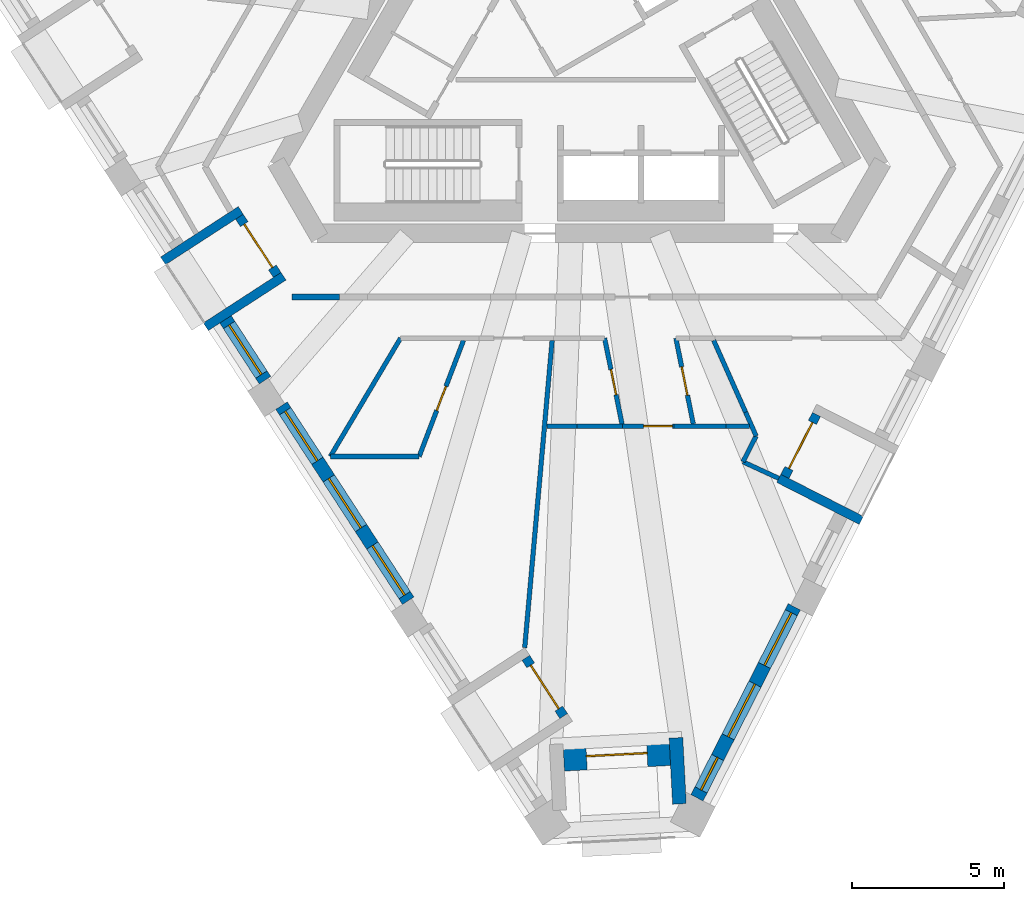
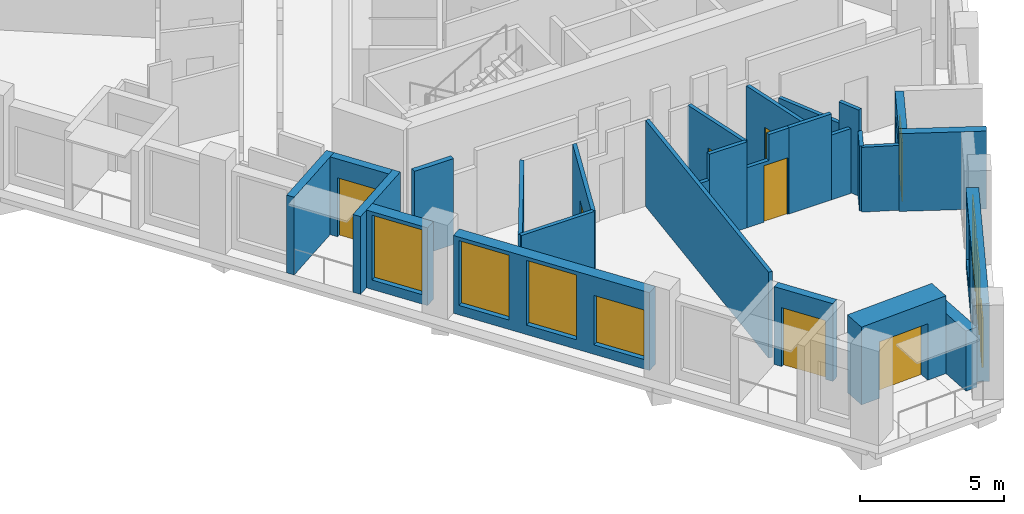
# One storey, part 2 of 13: 27 walls, 8 doors, 7 windows, 15 openings.
"""IFC4 building model written with IfcOpenShell, lengths in metres."""

from ifc_helpers import new_model, si_unit, direction, frame, frame_2d, origin, place, context, subcontext, project, spatial, polyline, rectangle, outline, extrude, material, layer, layer_set, type_object, element, fill, save


model = new_model("IFC4")

# Units and contexts
model_context = context("Model", 3, precision=1e-05, world=origin(), true_north=direction((0.0, 1.0)))
body_context = subcontext(model_context, "Body", "Model", "MODEL_VIEW")
ifc_project = project(units=[si_unit("LENGTHUNIT", "METRE"), si_unit("AREAUNIT", "SQUARE_METRE"), si_unit("VOLUMEUNIT", "CUBIC_METRE"), si_unit("PLANEANGLEUNIT", "RADIAN"), si_unit("MASSUNIT", "GRAM", prefix="KILO")], contexts=[model_context])

# Site, building, storey
site_placement = place(None, origin())
site = spatial("IfcSite", under=ifc_project, at=site_placement, CompositionType="ELEMENT")
building_placement = place(site_placement, origin())
building = spatial("IfcBuilding", under=site, at=building_placement, Name="Tramontana Tower", CompositionType="ELEMENT")
storey_placement = place(building_placement, frame((0.0, 0.0, 286.39990234375)))
storey = spatial("IfcBuildingStorey", under=building, at=storey_placement, Name="L67", CompositionType="ELEMENT", Elevation=286.39990234375)

# Wall
ifc_material_1 = material(Name="Blockwork", Category="masonry")
ifc_layer_1 = layer(ifc_material_1, 0.199951171875)
ifc_layer_set_1 = layer_set([ifc_layer_1], Name="ENTRY WALL 200")
wall_type_1 = type_object("IfcWallType", Name="ENTRY WALL 200", PredefinedType="SOLIDWALL", material=ifc_layer_set_1)
wall_1_placement = place(storey_placement, frame((-7.89599609375, -8.550048828125, 0.0), z_axis=(0.0, 0.0, 1.0), x_axis=(-1.0, 0.0, 0.0)))
element("IfcWall", 1, at=wall_1_placement, inside=storey, type_object=wall_type_1, Name="Wall v71-ew1-11", PredefinedType="SOLIDWALL", context=body_context, shape_type="SweptSolid", body=[
    extrude(rectangle(XDim=1.569580078125, YDim=0.199951171875, at=frame_2d((0.78466796875, 0.0))), origin(), (0.0, 0.0, 1.0), 3.650146484375),
])

# Wall, opening, window
ifc_material_2 = material(Name="Precast concrete 60 MPa", Category="concrete")
ifc_layer_2 = layer(ifc_material_2, 0.449951171875)
ifc_layer_set_2 = layer_set([ifc_layer_2], Name="Precast concrete 60 MPa, 450 mm")
wall_type_2 = type_object("IfcWallType", Name="EW1 Stone-faced precast wall 450", PredefinedType="SOLIDWALL", material=ifc_layer_set_2)
wall_2_placement = place(storey_placement, frame((-11.647216796875, -9.284912109375, 0.0), z_axis=(0.0, 0.0, 1.0), x_axis=(0.544722247615, -0.838616523182, 0.0)))
wall_2 = element("IfcWall", 2, at=wall_2_placement, inside=storey, type_object=wall_type_2, Name="External wall L67 face 0 bay 3", PredefinedType="SOLIDWALL", context=body_context, shape_type="SweptSolid", body=[
    extrude(rectangle(XDim=2.38671875, YDim=0.449951171875, at=frame_2d((1.193359375, 0.0))), origin(), (0.0, 0.0, 1.0), 3.300048828125),
])
opening_1_placement = place(wall_2_placement, frame((0.21826171875, 0.0, 0.39990234375)))
opening_1 = element("IfcOpeningElement", 3, at=opening_1_placement, cuts=wall_2, Name="Opening M3", PredefinedType="OPENING", context=body_context, shape_type="SweptSolid", body=[
    extrude(rectangle(XDim=1.949951171875, YDim=2.75, at=frame_2d((0.97509765625, 1.375))), frame((0.0, 0.23486328125, 0.0), z_axis=(0.0, -1.0, 0.0), x_axis=(1.0, 0.0, 0.0)), (0.0, 0.0, 1.0), 0.469970703125),
])
ifc_material_3 = material(Name="Aluminum frame, double glazing unit", Category="aluminium")
window_type_1 = type_object("IfcWindowType", Name="M3 Window 1.95 x 2.75", PartitioningType="SINGLE_PANEL", PredefinedType="WINDOW", material=ifc_material_3)
window_1_placement = place(opening_1_placement, origin())
window_1 = element("IfcWindow", 4, at=window_1_placement, inside=storey, type_object=window_type_1, Name="Window M3 L67 face 0 module 9", OverallHeight=2.75, OverallWidth=1.949951171875, PartitioningType="SINGLE_PANEL", PredefinedType="WINDOW", context=body_context, shape_type="SweptSolid", body=[
    extrude(rectangle(XDim=1.949951171875, YDim=2.75, at=frame_2d((0.97509765625, 1.375))), frame((0.0, 0.030029296875, 0.0), z_axis=(0.0, -1.0, 0.0), x_axis=(1.0, 0.0, 0.0)), (0.0, 0.0, 1.0), 0.06005859375),
])
fill(opening_1, window_1)

# Wall, openings, windows
wall_3_placement = place(storey_placement, frame((-9.802734375, -12.125244140625, 0.0), z_axis=(0.0, 0.0, 1.0), x_axis=(0.544649987904, -0.838663454954, 0.0)))
wall_3 = element("IfcWall", 5, at=wall_3_placement, inside=storey, type_object=wall_type_2, Name="External wall L67 face 0 bay 4", PredefinedType="SOLIDWALL", context=body_context, shape_type="SweptSolid", body=[
    extrude(rectangle(XDim=7.66015625, YDim=0.449951171875, at=frame_2d((3.830078125, 0.0))), origin(), (0.0, 0.0, 1.0), 3.300048828125),
])
opening_2_placement = place(wall_3_placement, frame((0.21826171875, 0.0, 0.39990234375)))
opening_2 = element("IfcOpeningElement", 6, at=opening_2_placement, cuts=wall_3, Name="Opening M3", PredefinedType="OPENING", context=body_context, shape_type="SweptSolid", body=[
    extrude(rectangle(XDim=1.949951171875, YDim=2.75, at=frame_2d((0.97509765625, 1.375))), frame((0.0, 0.23486328125, 0.0), z_axis=(0.0, -1.0, 0.0), x_axis=(1.0, 0.0, 0.0)), (0.0, 0.0, 1.0), 0.469970703125),
])
opening_3_placement = place(wall_3_placement, frame((2.855224609375, 0.0, 0.39990234375)))
opening_3 = element("IfcOpeningElement", 7, at=opening_3_placement, cuts=wall_3, Name="Opening M3", PredefinedType="OPENING", context=body_context, shape_type="SweptSolid", body=[
    extrude(rectangle(XDim=1.949951171875, YDim=2.75, at=frame_2d((0.97509765625, 1.375))), frame((0.0, 0.23486328125, 0.0), z_axis=(0.0, -1.0, 0.0), x_axis=(1.0, 0.0, 0.0)), (0.0, 0.0, 1.0), 0.469970703125),
])
opening_4_placement = place(wall_3_placement, frame((5.491943359375, 0.0, 0.39990234375)))
opening_4 = element("IfcOpeningElement", 8, at=opening_4_placement, cuts=wall_3, Name="Opening M3L", PredefinedType="OPENING", context=body_context, shape_type="SweptSolid", body=[
    extrude(rectangle(XDim=1.949951171875, YDim=2.10009765625, at=frame_2d((0.97509765625, 1.050048828125))), frame((0.0, 0.23486328125, 0.0), z_axis=(0.0, -1.0, 0.0), x_axis=(1.0, 0.0, 0.0)), (0.0, 0.0, 1.0), 0.469970703125),
])
window_2_placement = place(opening_2_placement, origin())
window_2 = element("IfcWindow", 9, at=window_2_placement, inside=storey, type_object=window_type_1, Name="Window M3 L67 face 0 module 10", OverallHeight=2.75, OverallWidth=1.949951171875, PartitioningType="SINGLE_PANEL", PredefinedType="WINDOW", context=body_context, shape_type="SweptSolid", body=[
    extrude(rectangle(XDim=1.949951171875, YDim=2.75, at=frame_2d((0.97509765625, 1.375))), frame((0.0, 0.030029296875, 0.0), z_axis=(0.0, -1.0, 0.0), x_axis=(1.0, 0.0, 0.0)), (0.0, 0.0, 1.0), 0.06005859375),
])
fill(opening_2, window_2)
window_3_placement = place(opening_3_placement, origin())
window_3 = element("IfcWindow", 10, at=window_3_placement, inside=storey, type_object=window_type_1, Name="Window M3 L67 face 0 module 11", OverallHeight=2.75, OverallWidth=1.949951171875, PartitioningType="SINGLE_PANEL", PredefinedType="WINDOW", context=body_context, shape_type="SweptSolid", body=[
    extrude(rectangle(XDim=1.949951171875, YDim=2.75, at=frame_2d((0.97509765625, 1.375))), frame((0.0, 0.030029296875, 0.0), z_axis=(0.0, -1.0, 0.0), x_axis=(1.0, 0.0, 0.0)), (0.0, 0.0, 1.0), 0.06005859375),
])
fill(opening_3, window_3)
ifc_material_4 = material(Name="Aluminum frame, double glazing unit", Category="aluminium")
window_type_2 = type_object("IfcWindowType", Name="M3L Window 1.95 x 2.1", PartitioningType="SINGLE_PANEL", PredefinedType="WINDOW", material=ifc_material_4)
window_4_placement = place(opening_4_placement, origin())
window_4 = element("IfcWindow", 11, at=window_4_placement, inside=storey, type_object=window_type_2, Name="Window M3L L67 face 0 module 12", OverallHeight=2.10009765625, OverallWidth=1.949951171875, PartitioningType="SINGLE_PANEL", PredefinedType="WINDOW", context=body_context, shape_type="SweptSolid", body=[
    extrude(rectangle(XDim=1.949951171875, YDim=2.10009765625, at=frame_2d((0.97509765625, 1.050048828125))), frame((0.0, 0.030029296875, 0.0), z_axis=(0.0, -1.0, 0.0), x_axis=(1.0, 0.0, 0.0)), (0.0, 0.0, 1.0), 0.06005859375),
])
fill(opening_4, window_4)

wall_4_placement = place(storey_placement, frame((3.87939453125, -25.041259765625, 0.0), z_axis=(0.0, 0.0, 1.0), x_axis=(0.453992084912, 0.891005716501, 0.0)))
wall_4 = element("IfcWall", 12, at=wall_4_placement, inside=storey, type_object=wall_type_2, Name="External wall L67 face 1 bay 1", PredefinedType="SOLIDWALL", context=body_context, shape_type="SweptSolid", body=[
    extrude(rectangle(XDim=7.060302734375, YDim=0.449951171875, at=frame_2d((3.5302734375, 0.0))), origin(), (0.0, 0.0, 1.0), 3.300048828125),
])
opening_5_placement = place(wall_4_placement, frame((0.29345703125, 0.0, 0.39990234375)))
opening_5 = element("IfcOpeningElement", 13, at=opening_5_placement, cuts=wall_4, Name="Opening N3L", PredefinedType="OPENING", context=body_context, shape_type="SweptSolid", body=[
    extrude(rectangle(XDim=1.199951171875, YDim=2.10009765625, at=frame_2d((0.60009765625, 1.050048828125))), frame((0.0, 0.23486328125, 0.0), z_axis=(0.0, -1.0, 0.0), x_axis=(1.0, 0.0, 0.0)), (0.0, 0.0, 1.0), 0.469970703125),
])
opening_6_placement = place(wall_4_placement, frame((2.255126953125, 0.0, 0.39990234375)))
opening_6 = element("IfcOpeningElement", 14, at=opening_6_placement, cuts=wall_4, Name="Opening M3", PredefinedType="OPENING", context=body_context, shape_type="SweptSolid", body=[
    extrude(rectangle(XDim=1.949951171875, YDim=2.75, at=frame_2d((0.97509765625, 1.375))), frame((0.0, 0.23486328125, 0.0), z_axis=(0.0, -1.0, 0.0), x_axis=(1.0, 0.0, 0.0)), (0.0, 0.0, 1.0), 0.469970703125),
])
opening_7_placement = place(wall_4_placement, frame((4.891845703125, 0.0, 0.39990234375)))
opening_7 = element("IfcOpeningElement", 15, at=opening_7_placement, cuts=wall_4, Name="Opening M3", PredefinedType="OPENING", context=body_context, shape_type="SweptSolid", body=[
    extrude(rectangle(XDim=1.949951171875, YDim=2.75, at=frame_2d((0.97509765625, 1.375))), frame((0.0, 0.23486328125, 0.0), z_axis=(0.0, -1.0, 0.0), x_axis=(1.0, 0.0, 0.0)), (0.0, 0.0, 1.0), 0.469970703125),
])
window_5_placement = place(opening_6_placement, origin())
window_5 = element("IfcWindow", 16, at=window_5_placement, inside=storey, type_object=window_type_1, Name="Window M3 L67 face 1 module 2", OverallHeight=2.75, OverallWidth=1.949951171875, PartitioningType="SINGLE_PANEL", PredefinedType="WINDOW", context=body_context, shape_type="SweptSolid", body=[
    extrude(rectangle(XDim=1.949951171875, YDim=2.75, at=frame_2d((0.97509765625, 1.375))), frame((0.0, 0.030029296875, 0.0), z_axis=(0.0, -1.0, 0.0), x_axis=(1.0, 0.0, 0.0)), (0.0, 0.0, 1.0), 0.06005859375),
])
fill(opening_6, window_5)
window_6_placement = place(opening_7_placement, origin())
window_6 = element("IfcWindow", 17, at=window_6_placement, inside=storey, type_object=window_type_1, Name="Window M3 L67 face 1 module 3", OverallHeight=2.75, OverallWidth=1.949951171875, PartitioningType="SINGLE_PANEL", PredefinedType="WINDOW", context=body_context, shape_type="SweptSolid", body=[
    extrude(rectangle(XDim=1.949951171875, YDim=2.75, at=frame_2d((0.97509765625, 1.375))), frame((0.0, 0.030029296875, 0.0), z_axis=(0.0, -1.0, 0.0), x_axis=(1.0, 0.0, 0.0)), (0.0, 0.0, 1.0), 0.06005859375),
])
fill(opening_7, window_6)
ifc_material_5 = material(Name="Aluminum frame, double glazing unit", Category="aluminium")
window_type_3 = type_object("IfcWindowType", Name="N3L Window 1.2 x 2.1", PartitioningType="SINGLE_PANEL", PredefinedType="WINDOW", material=ifc_material_5)
window_7_placement = place(opening_5_placement, origin())
window_7 = element("IfcWindow", 18, at=window_7_placement, inside=storey, type_object=window_type_3, Name="Window N3L L67 face 1 module 1", OverallHeight=2.10009765625, OverallWidth=1.199951171875, PartitioningType="SINGLE_PANEL", PredefinedType="WINDOW", context=body_context, shape_type="SweptSolid", body=[
    extrude(rectangle(XDim=1.199951171875, YDim=2.10009765625, at=frame_2d((0.60009765625, 1.050048828125))), frame((0.0, 0.030029296875, 0.0), z_axis=(0.0, -1.0, 0.0), x_axis=(1.0, 0.0, 0.0)), (0.0, 0.0, 1.0), 0.06005859375),
])
fill(opening_5, window_7)

# Wall
wall_5_placement = place(storey_placement, frame((3.300537109375, -25.240966796875, 0.0), z_axis=(0.0, 0.0, 1.0), x_axis=(-0.052323605405, 0.998630181958, 0.0)))
element("IfcWall", 19, at=wall_5_placement, inside=storey, type_object=wall_type_2, Name="Corner loggia side wall L67 K71l", PredefinedType="SOLIDWALL", context=body_context, shape_type="SweptSolid", body=[
    extrude(rectangle(XDim=2.178955078125, YDim=0.449951171875, at=frame_2d((1.08935546875, 0.0))), origin(), (0.0, 0.0, 1.0), 2.550048828125),
])

# Wall, opening, door
ifc_material_6 = material(Name="Precast concrete 60 MPa", Category="concrete")
ifc_layer_3 = layer(ifc_material_6, 0.89990234375)
ifc_layer_set_3 = layer_set([ifc_layer_3], Name="EW2 Stone-faced corner loggia wall 900")
wall_type_3 = type_object("IfcWallType", Name="EW2 Stone-faced corner loggia wall 900", PredefinedType="SOLIDWALL", material=ifc_layer_set_3)
wall_6_placement = place(storey_placement, frame((2.9853515625, -23.52587890625, 0.0), z_axis=(0.0, 0.0, 1.0), x_axis=(-0.998626871225, -0.0523867547, 0.0)))
wall_6 = element("IfcWall", 20, at=wall_6_placement, inside=storey, type_object=wall_type_3, Name="Corner loggia wall L67 K71", PredefinedType="SOLIDWALL", context=body_context, shape_type="SweptSolid", body=[
    extrude(rectangle(XDim=3.5, YDim=0.89990234375, at=frame_2d((1.75, 0.0))), origin(), (0.0, 0.0, 1.0), 3.300048828125),
])
opening_8_placement = place(wall_6_placement, frame((0.75, 0.0, 0.0)))
opening_8 = element("IfcOpeningElement", 21, at=opening_8_placement, cuts=wall_6, Name="Opening BD-71C", PredefinedType="OPENING", context=body_context, shape_type="SweptSolid", body=[
    extrude(rectangle(XDim=2.0, YDim=2.39990234375, at=frame_2d((1.0, 1.199951171875))), frame((0.0, 0.4599609375, 0.0), z_axis=(0.0, -1.0, 0.0), x_axis=(1.0, 0.0, 0.0)), (0.0, 0.0, 1.0), 0.919921875),
])
ifc_material_7 = material(Name="Aluminum frame, double glazing unit", Category="aluminium")
door_type_1 = type_object("IfcDoorType", Name="BC1 Sliding door 2 x 2.4", OperationType="SLIDING_TO_LEFT", PredefinedType="DOOR", material=ifc_material_7)
door_1_placement = place(opening_8_placement, origin())
door_1 = element("IfcDoor", 22, at=door_1_placement, inside=storey, type_object=door_type_1, Name="Corner loggia door L67 K71", OperationType="SLIDING_TO_LEFT", OverallHeight=2.39990234375, OverallWidth=2.0, PredefinedType="DOOR", context=body_context, shape_type="SweptSolid", body=[
    extrude(rectangle(XDim=2.0, YDim=2.39990234375, at=frame_2d((1.0, 1.199951171875))), frame((0.0, 0.02490234375, 0.0), z_axis=(0.0, -1.0, 0.0), x_axis=(1.0, 0.0, 0.0)), (0.0, 0.0, 1.0), 0.050048828125),
])
fill(opening_8, door_1)

ifc_material_8 = material(Name="Precast concrete 60 MPa", Category="concrete")
ifc_layer_4 = layer(ifc_material_8, 0.300048828125)
ifc_layer_set_4 = layer_set([ifc_layer_4], Name="LW1 Stone-faced loggia wall 300")
wall_type_4 = type_object("IfcWallType", Name="LW1 Stone-faced loggia wall 300", PredefinedType="SOLIDWALL", material=ifc_layer_set_4)
wall_7_placement = place(storey_placement, frame((-11.18994140625, -5.903564453125, 0.0), z_axis=(0.0, 0.0, 1.0), x_axis=(0.544631777146, -0.838675281216, 0.0)))
wall_7 = element("IfcWall", 23, at=wall_7_placement, inside=storey, type_object=wall_type_4, Name="Loggia wall L67 G7S0.7", PredefinedType="SOLIDWALL", context=body_context, shape_type="SweptSolid", body=[
    extrude(rectangle(XDim=2.28662109375, YDim=0.300048828125, at=frame_2d((1.143310546875, 0.0))), origin(), (0.0, 0.0, 1.0), 3.300048828125),
])
opening_9_placement = place(wall_7_placement, frame((0.29345703125, 0.0, 0.0)))
opening_9 = element("IfcOpeningElement", 24, at=opening_9_placement, cuts=wall_7, Name="Opening BD-7S0-07", PredefinedType="OPENING", context=body_context, shape_type="SweptSolid", body=[
    extrude(rectangle(XDim=1.699951171875, YDim=2.5, at=frame_2d((0.85009765625, 1.25))), frame((0.0, 0.159912109375, 0.0), z_axis=(0.0, -1.0, 0.0), x_axis=(1.0, 0.0, 0.0)), (0.0, 0.0, 1.0), 0.320068359375),
])
ifc_material_9 = material(Name="Aluminum frame, double glazing unit", Category="aluminium")
door_type_2 = type_object("IfcDoorType", Name="BD3 Sliding door 1.7 x 2.5", OperationType="SLIDING_TO_LEFT", PredefinedType="DOOR", material=ifc_material_9)
door_2_placement = place(opening_9_placement, origin())
door_2 = element("IfcDoor", 25, at=door_2_placement, inside=storey, type_object=door_type_2, Name="Loggia door L67 G7S0.7", OperationType="SLIDING_TO_LEFT", OverallHeight=2.5, OverallWidth=1.699951171875, PredefinedType="DOOR", context=body_context, shape_type="SweptSolid", body=[
    extrude(rectangle(XDim=1.699951171875, YDim=2.5, at=frame_2d((0.85009765625, 1.25))), frame((0.0, 0.02490234375, 0.0), z_axis=(0.0, -1.0, 0.0), x_axis=(1.0, 0.0, 0.0)), (0.0, 0.0, 1.0), 0.050048828125),
])
fill(opening_9, door_2)

# Walls
wall_8_placement = place(storey_placement, frame((-13.703857421875, -7.357177734375, 0.0), z_axis=(0.0, 0.0, 1.0), x_axis=(0.838688583525, 0.544611292451, 0.0)))
element("IfcWall", 26, at=wall_8_placement, inside=storey, type_object=wall_type_4, Name="Loggia return L67 G7S0.7a", PredefinedType="SOLIDWALL", context=body_context, shape_type="SweptSolid", body=[
    extrude(rectangle(XDim=3.050048828125, YDim=0.300048828125, at=frame_2d((1.52490234375, 0.0))), origin(), (0.0, 0.0, 1.0), 3.300048828125),
])
wall_9_placement = place(storey_placement, frame((-12.294921875, -9.526611328125, 0.0), z_axis=(0.0, 0.0, 1.0), x_axis=(0.838664840319, 0.544647854685, 0.0)))
element("IfcWall", 27, at=wall_9_placement, inside=storey, type_object=wall_type_4, Name="Loggia return L67 G7S0.7b", PredefinedType="SOLIDWALL", context=body_context, shape_type="SweptSolid", body=[
    extrude(rectangle(XDim=3.0498046875, YDim=0.300048828125, at=frame_2d((1.52490234375, 0.0))), origin(), (0.0, 0.0, 1.0), 3.300048828125),
])

# Wall, opening, door
wall_10_placement = place(storey_placement, frame((-1.756591796875, -20.4296875, 0.0), z_axis=(0.0, 0.0, 1.0), x_axis=(0.544658103125, -0.838658184662, 0.0)))
wall_10 = element("IfcWall", 28, at=wall_10_placement, inside=storey, type_object=wall_type_4, Name="Loggia wall L67 G7S0.13", PredefinedType="SOLIDWALL", context=body_context, shape_type="SweptSolid", body=[
    extrude(rectangle(XDim=2.286865234375, YDim=0.300048828125, at=frame_2d((1.1435546875, 0.0))), origin(), (0.0, 0.0, 1.0), 3.300048828125),
])
opening_10_placement = place(wall_10_placement, frame((0.29345703125, 0.0, 0.0)))
opening_10 = element("IfcOpeningElement", 29, at=opening_10_placement, cuts=wall_10, Name="Opening BD-7S0-13", PredefinedType="OPENING", context=body_context, shape_type="SweptSolid", body=[
    extrude(rectangle(XDim=1.699951171875, YDim=2.5, at=frame_2d((0.85009765625, 1.25))), frame((0.0, 0.159912109375, 0.0), z_axis=(0.0, -1.0, 0.0), x_axis=(1.0, 0.0, 0.0)), (0.0, 0.0, 1.0), 0.320068359375),
])
door_3_placement = place(opening_10_placement, origin())
door_3 = element("IfcDoor", 30, at=door_3_placement, inside=storey, type_object=door_type_2, Name="Loggia door L67 G7S0.13", OperationType="SLIDING_TO_LEFT", OverallHeight=2.5, OverallWidth=1.699951171875, PredefinedType="DOOR", context=body_context, shape_type="SweptSolid", body=[
    extrude(rectangle(XDim=1.699951171875, YDim=2.5, at=frame_2d((0.85009765625, 1.25))), frame((0.0, 0.02490234375, 0.0), z_axis=(0.0, -1.0, 0.0), x_axis=(1.0, 0.0, 0.0)), (0.0, 0.0, 1.0), 0.050048828125),
])
fill(opening_10, door_3)

wall_11_placement = place(storey_placement, frame((6.77587890625, -14.455322265625, 0.0), z_axis=(0.0, 0.0, 1.0), x_axis=(0.454076116559, 0.890962895058, 0.0)))
wall_11 = element("IfcWall", 31, at=wall_11_placement, inside=storey, type_object=wall_type_4, Name="Loggia wall L67 G7S1.4", PredefinedType="SOLIDWALL", context=body_context, shape_type="SweptSolid", body=[
    extrude(rectangle(XDim=2.28662109375, YDim=0.300048828125, at=frame_2d((1.143310546875, 0.0))), origin(), (0.0, 0.0, 1.0), 3.300048828125),
])
opening_11_placement = place(wall_11_placement, frame((0.29345703125, 0.0, 0.0)))
opening_11 = element("IfcOpeningElement", 32, at=opening_11_placement, cuts=wall_11, Name="Opening BD-7S1-04", PredefinedType="OPENING", context=body_context, shape_type="SweptSolid", body=[
    extrude(rectangle(XDim=1.699951171875, YDim=2.5, at=frame_2d((0.85009765625, 1.25))), frame((0.0, 0.159912109375, 0.0), z_axis=(0.0, -1.0, 0.0), x_axis=(1.0, 0.0, 0.0)), (0.0, 0.0, 1.0), 0.320068359375),
])
door_4_placement = place(opening_11_placement, origin())
door_4 = element("IfcDoor", 33, at=door_4_placement, inside=storey, type_object=door_type_2, Name="Loggia door L67 G7S1.4", OperationType="SLIDING_TO_LEFT", OverallHeight=2.5, OverallWidth=1.699951171875, PredefinedType="DOOR", context=body_context, shape_type="SweptSolid", body=[
    extrude(rectangle(XDim=1.699951171875, YDim=2.5, at=frame_2d((0.85009765625, 1.25))), frame((0.0, 0.02490234375, 0.0), z_axis=(0.0, -1.0, 0.0), x_axis=(1.0, 0.0, 0.0)), (0.0, 0.0, 1.0), 0.050048828125),
])
fill(opening_11, door_4)

# Walls
wall_12_placement = place(storey_placement, frame((9.291748046875, -15.905517578125, 0.0), z_axis=(0.0, 0.0, 1.0), x_axis=(-0.891023613249, 0.453956959009, 0.0)))
element("IfcWall", 34, at=wall_12_placement, inside=storey, type_object=wall_type_4, Name="Loggia return L67 G7S1.4a", PredefinedType="SOLIDWALL", context=body_context, shape_type="SweptSolid", body=[
    extrude(rectangle(XDim=3.0498046875, YDim=0.300048828125, at=frame_2d((1.52490234375, 0.0))), origin(), (0.0, 0.0, 1.0), 3.300048828125),
])
ifc_material_10 = material(Name="Gypsum board partition")
ifc_layer_5 = layer(ifc_material_10, 0.14990234375)
ifc_layer_set_5 = layer_set([ifc_layer_5], Name="PARTITION 150")
wall_type_5 = type_object("IfcWallType", Name="PARTITION 150", PredefinedType="PARTITIONING", material=ifc_layer_set_5)
wall_13_placement = place(storey_placement, frame((-5.8818359375, -9.90185546875, 0.0), z_axis=(0.0, 0.0, 1.0), x_axis=(-0.510505146046, -0.859874697767, 0.0)))
element("IfcWall", 35, at=wall_13_placement, inside=storey, type_object=wall_type_5, Name="Wall v71-pw13", PredefinedType="PARTITIONING", context=body_context, shape_type="SweptSolid", body=[
    extrude(rectangle(XDim=4.53173828125, YDim=0.14990234375, at=frame_2d((2.265869140625, 0.0))), origin(), (0.0, 0.0, 1.0), 3.650146484375),
])
wall_14_placement = place(storey_placement, frame((-5.270263671875, -13.800048828125, 0.0), z_axis=(0.0, 0.0, 1.0), x_axis=(-1.0, 0.0, 0.0)))
element("IfcWall", 36, at=wall_14_placement, inside=storey, type_object=wall_type_5, Name="Wall v71-pw15", PredefinedType="PARTITIONING", context=body_context, shape_type="SweptSolid", body=[
    extrude(rectangle(XDim=2.92236328125, YDim=0.14990234375, at=frame_2d((1.461181640625, 0.0))), origin(), (0.0, 0.0, 1.0), 3.650146484375),
])

# Wall, opening, door
wall_15_placement = place(storey_placement, frame((-5.270263671875, -13.800048828125, 0.0), z_axis=(0.0, 0.0, 1.0), x_axis=(0.356756445124, 0.934197430345, 0.0)))
wall_15 = element("IfcWall", 37, at=wall_15_placement, inside=storey, type_object=wall_type_5, Name="Wall v71-pw18", PredefinedType="PARTITIONING", context=body_context, shape_type="SweptSolid", body=[
    extrude(rectangle(XDim=4.094482421875, YDim=0.14990234375, at=frame_2d((2.04736328125, 0.0))), origin(), (0.0, 0.0, 1.0), 3.650146484375),
])
opening_12_placement = place(wall_15_placement, frame((1.622314453125, 0.0, 0.0)))
opening_12 = element("IfcOpeningElement", 38, at=opening_12_placement, cuts=wall_15, Name="Opening B7B-12", PredefinedType="OPENING", context=body_context, shape_type="SweptSolid", body=[
    extrude(rectangle(XDim=0.85009765625, YDim=2.39990234375, at=frame_2d((0.425048828125, 1.199951171875))), frame((0.0, 0.0849609375, 0.0), z_axis=(0.0, -1.0, 0.0), x_axis=(1.0, 0.0, 0.0)), (0.0, 0.0, 1.0), 0.169921875),
])
ifc_material_11 = material(Name="Painted timber", Category="wood")
door_type_3 = type_object("IfcDoorType", Name="DOOR BATH 850", OperationType="SINGLE_SWING_LEFT", PredefinedType="DOOR", material=ifc_material_11)
door_5_placement = place(opening_12_placement, origin())
door_5 = element("IfcDoor", 39, at=door_5_placement, inside=storey, type_object=door_type_3, Name="Door B7B-12", OperationType="SINGLE_SWING_RIGHT", OverallHeight=2.39990234375, OverallWidth=0.85009765625, PredefinedType="DOOR", context=body_context, shape_type="SweptSolid", body=[
    extrude(rectangle(XDim=0.85009765625, YDim=2.39990234375, at=frame_2d((0.425048828125, 1.199951171875))), frame((0.0, 0.02490234375, 0.0), z_axis=(0.0, -1.0, 0.0), x_axis=(1.0, 0.0, 0.0)), (0.0, 0.0, 1.0), 0.050048828125),
])
fill(opening_12, door_5)

# Wall
wall_16_placement = place(storey_placement, frame((-1.794189453125, -20.096435546875, 0.0), z_axis=(0.0, 0.0, 1.0), x_axis=(0.088919594422, 0.99603880734, 0.0)))
element("IfcWall", 40, at=wall_16_placement, inside=storey, type_object=wall_type_5, Name="Wall v71-pw19", PredefinedType="PARTITIONING", context=body_context, shape_type="SweptSolid", body=[
    extrude(rectangle(XDim=10.16162109375, YDim=0.14990234375, at=frame_2d((5.080810546875, 0.0))), origin(), (0.0, 0.0, 1.0), 3.650146484375),
])

# Wall, opening, door
wall_17_placement = place(storey_placement, frame((1.423828125, -12.797119140625, 0.0), z_axis=(0.0, 0.0, 1.0), x_axis=(-0.198929649616, 0.980013772609, 0.0)))
wall_17 = element("IfcWall", 41, at=wall_17_placement, inside=storey, type_object=wall_type_5, Name="Wall v71-pw22", PredefinedType="PARTITIONING", context=body_context, shape_type="SweptSolid", body=[
    extrude(rectangle(XDim=2.952880859375, YDim=0.14990234375, at=frame_2d((1.4765625, 0.0))), origin(), (0.0, 0.0, 1.0), 3.650146484375),
])
opening_13_placement = place(wall_17_placement, frame((1.051513671875, 0.0, 0.0)))
opening_13 = element("IfcOpeningElement", 42, at=opening_13_placement, cuts=wall_17, Name="Opening B7B-08", PredefinedType="OPENING", context=body_context, shape_type="SweptSolid", body=[
    extrude(rectangle(XDim=0.85009765625, YDim=2.39990234375, at=frame_2d((0.425048828125, 1.199951171875))), frame((0.0, 0.0849609375, 0.0), z_axis=(0.0, -1.0, 0.0), x_axis=(1.0, 0.0, 0.0)), (0.0, 0.0, 1.0), 0.169921875),
])
door_6_placement = place(opening_13_placement, origin())
door_6 = element("IfcDoor", 43, at=door_6_placement, inside=storey, type_object=door_type_3, Name="Door B7B-08", OperationType="SINGLE_SWING_RIGHT", OverallHeight=2.39990234375, OverallWidth=0.85009765625, PredefinedType="DOOR", context=body_context, shape_type="SweptSolid", body=[
    extrude(rectangle(XDim=0.85009765625, YDim=2.39990234375, at=frame_2d((0.425048828125, 1.199951171875))), frame((0.0, 0.02490234375, 0.0), z_axis=(0.0, -1.0, 0.0), x_axis=(1.0, 0.0, 0.0)), (0.0, 0.0, 1.0), 0.050048828125),
])
fill(opening_13, door_6)

wall_18_placement = place(storey_placement, frame((3.183837890625, -9.90478515625, 0.0), z_axis=(0.0, 0.0, 1.0), x_axis=(0.198872768009, -0.980025317094, 0.0)))
wall_18 = element("IfcWall", 44, at=wall_18_placement, inside=storey, type_object=wall_type_5, Name="Wall v71-pw23", PredefinedType="PARTITIONING", context=body_context, shape_type="SweptSolid", body=[
    extrude(rectangle(XDim=2.87744140625, YDim=0.14990234375, at=frame_2d((1.438720703125, 0.0))), origin(), (0.0, 0.0, 1.0), 3.650146484375),
])
opening_14_placement = place(wall_18_placement, frame((0.9638671875, 0.0, 0.0)))
opening_14 = element("IfcOpeningElement", 45, at=opening_14_placement, cuts=wall_18, Name="Opening B7B-07", PredefinedType="OPENING", context=body_context, shape_type="SweptSolid", body=[
    extrude(rectangle(XDim=0.949951171875, YDim=2.39990234375, at=frame_2d((0.47509765625, 1.199951171875))), frame((0.0, 0.0849609375, 0.0), z_axis=(0.0, -1.0, 0.0), x_axis=(1.0, 0.0, 0.0)), (0.0, 0.0, 1.0), 0.169921875),
])
ifc_material_12 = material(Name="Painted timber", Category="wood")
door_type_4 = type_object("IfcDoorType", Name="DOOR ROOM 950", OperationType="SINGLE_SWING_LEFT", PredefinedType="DOOR", material=ifc_material_12)
door_7_placement = place(opening_14_placement, origin())
door_7 = element("IfcDoor", 46, at=door_7_placement, inside=storey, type_object=door_type_4, Name="Door B7B-07", OperationType="SINGLE_SWING_LEFT", OverallHeight=2.39990234375, OverallWidth=0.949951171875, PredefinedType="DOOR", context=body_context, shape_type="SweptSolid", body=[
    extrude(rectangle(XDim=0.949951171875, YDim=2.39990234375, at=frame_2d((0.47509765625, 1.199951171875))), frame((0.0, 0.02490234375, 0.0), z_axis=(0.0, -1.0, 0.0), x_axis=(1.0, 0.0, 0.0)), (0.0, 0.0, 1.0), 0.050048828125),
])
fill(opening_14, door_7)

# Walls
wall_19_placement = place(storey_placement, frame((4.428466796875, -9.97509765625, 0.0), z_axis=(0.0, 0.0, 1.0), x_axis=(0.405814676305, -0.913955386491, 0.0)))
element("IfcWall", 47, at=wall_19_placement, inside=storey, type_object=wall_type_5, Name="Wall v71-pw25-0", PredefinedType="PARTITIONING", context=body_context, shape_type="SweptSolid", body=[
    extrude(rectangle(XDim=2.588623046875, YDim=0.14990234375, at=frame_2d((1.29443359375, 0.0))), origin(), (0.0, 0.0, 1.0), 2.75),
])
wall_20_placement = place(storey_placement, frame((5.47900390625, -12.341064453125, 0.0), z_axis=(0.0, 0.0, 1.0), x_axis=(0.405821136731, -0.913952517904, 0.0)))
element("IfcWall", 48, at=wall_20_placement, inside=storey, type_object=wall_type_5, Name="Wall v71-pw25-1", PredefinedType="PARTITIONING", context=body_context, shape_type="SweptSolid", body=[
    extrude(rectangle(XDim=0.856689453125, YDim=0.14990234375, at=frame_2d((0.42822265625, 0.0))), origin(), (0.0, 0.0, 1.0), 3.650146484375),
])
wall_21_placement = place(storey_placement, frame((5.394775390625, -13.976318359375, 0.0), z_axis=(0.0, 0.0, 1.0), x_axis=(0.907865857733, -0.419260759388, 0.0)))
element("IfcWall", 49, at=wall_21_placement, inside=storey, type_object=wall_type_5, Name="Wall v71-pw26-0", PredefinedType="PARTITIONING", context=body_context, shape_type="SweptSolid", body=[
    extrude(rectangle(XDim=1.299072265625, YDim=0.14990234375, at=frame_2d((0.6494140625, 0.0))), origin(), (0.0, 0.0, 1.0), 2.75),
])
wall_22_placement = place(storey_placement, frame((5.6005859375, -12.800048828125, 0.0), z_axis=(0.0, 0.0, 1.0), x_axis=(-1.0, 0.0, 0.0)))
element("IfcWall", 50, at=wall_22_placement, inside=storey, type_object=wall_type_5, Name="Wall v71-pw27-0", PredefinedType="PARTITIONING", context=body_context, shape_type="SweptSolid", body=[
    extrude(rectangle(XDim=0.77099609375, YDim=0.14990234375, at=frame_2d((0.385498046875, 0.0))), origin(), (0.0, 0.0, 1.0), 2.75),
])
wall_23_placement = place(storey_placement, frame((4.82958984375, -12.800048828125, 0.0), z_axis=(0.0, 0.0, 1.0), x_axis=(-1.0, 0.0, 0.0)))
element("IfcWall", 51, at=wall_23_placement, inside=storey, type_object=wall_type_5, Name="Wall v71-pw27-1", PredefinedType="PARTITIONING", context=body_context, shape_type="SweptSolid", body=[
    extrude(rectangle(XDim=1.70703125, YDim=0.14990234375, at=frame_2d((0.853515625, 0.0))), origin(), (0.0, 0.0, 1.0), 3.650146484375),
])

# Wall, opening, door
wall_24_placement = place(storey_placement, frame((3.12255859375, -12.800048828125, 0.0), z_axis=(0.0, 0.0, 1.0), x_axis=(-1.0, 0.0, 0.0)))
wall_24 = element("IfcWall", 52, at=wall_24_placement, inside=storey, type_object=wall_type_5, Name="Wall v71-pw27-2", PredefinedType="PARTITIONING", context=body_context, shape_type="SweptSolid", body=[
    extrude(outline(polyline([(0.0, 0.0), (1.693359375, 0.0), (1.693359375, 2.550048828125), (0.80908203125, 2.550048828125), (0.80908203125, 3.650146484375), (0.0, 3.650146484375), (0.0, 0.0)])), frame((0.0, 0.074951171875, 0.0), z_axis=(0.0, -1.0, 0.0), x_axis=(1.0, 0.0, 0.0)), (0.0, 0.0, 1.0), 0.14990234375),
])
opening_15_placement = place(wall_24_placement, frame((0.050048828125, 0.0, 0.0)))
opening_15 = element("IfcOpeningElement", 53, at=opening_15_placement, cuts=wall_24, Name="Opening B7B-09", PredefinedType="OPENING", context=body_context, shape_type="SweptSolid", body=[
    extrude(rectangle(XDim=0.949951171875, YDim=2.39990234375, at=frame_2d((0.47509765625, 1.199951171875))), frame((0.0, 0.0849609375, 0.0), z_axis=(0.0, -1.0, 0.0), x_axis=(1.0, 0.0, 0.0)), (0.0, 0.0, 1.0), 0.169921875),
])
door_8_placement = place(opening_15_placement, origin())
door_8 = element("IfcDoor", 54, at=door_8_placement, inside=storey, type_object=door_type_4, Name="Door B7B-09", OperationType="SINGLE_SWING_LEFT", OverallHeight=2.39990234375, OverallWidth=0.949951171875, PredefinedType="DOOR", context=body_context, shape_type="SweptSolid", body=[
    extrude(rectangle(XDim=0.949951171875, YDim=2.39990234375, at=frame_2d((0.47509765625, 1.199951171875))), frame((0.0, 0.02490234375, 0.0), z_axis=(0.0, -1.0, 0.0), x_axis=(1.0, 0.0, 0.0)), (0.0, 0.0, 1.0), 0.050048828125),
])
fill(opening_15, door_8)

# Walls
wall_25_placement = place(storey_placement, frame((1.42919921875, -12.800048828125, 0.0), z_axis=(0.0, 0.0, 1.0), x_axis=(-1.0, 0.0, 0.0)))
element("IfcWall", 55, at=wall_25_placement, inside=storey, type_object=wall_type_5, Name="Wall v71-pw27-3", PredefinedType="PARTITIONING", context=body_context, shape_type="SweptSolid", body=[
    extrude(rectangle(XDim=1.509521484375, YDim=0.14990234375, at=frame_2d((0.7548828125, 0.0))), origin(), (0.0, 0.0, 1.0), 3.650146484375),
])
wall_26_placement = place(storey_placement, frame((-0.080322265625, -12.800048828125, 0.0), z_axis=(0.0, 0.0, 1.0), x_axis=(-1.0, 0.0, 0.0)))
element("IfcWall", 56, at=wall_26_placement, inside=storey, type_object=wall_type_5, Name="Wall v71-pw27-4", PredefinedType="PARTITIONING", context=body_context, shape_type="SweptSolid", body=[
    extrude(rectangle(XDim=0.987060546875, YDim=0.14990234375, at=frame_2d((0.49365234375, 0.0))), origin(), (0.0, 0.0, 1.0), 2.550048828125),
])
wall_27_placement = place(storey_placement, frame((5.82666015625, -13.124267578125, 0.0), z_axis=(0.0, 0.0, 1.0), x_axis=(-0.454063887125, -0.890969127641, 0.0)))
element("IfcWall", 57, at=wall_27_placement, inside=storey, type_object=wall_type_5, Name="Wall v71-pw28-0", PredefinedType="PARTITIONING", context=body_context, shape_type="SweptSolid", body=[
    extrude(rectangle(XDim=0.953369140625, YDim=0.14990234375, at=frame_2d((0.4765625, 0.0))), origin(), (0.0, 0.0, 1.0), 2.75),
])

save(model, "model.ifc")
